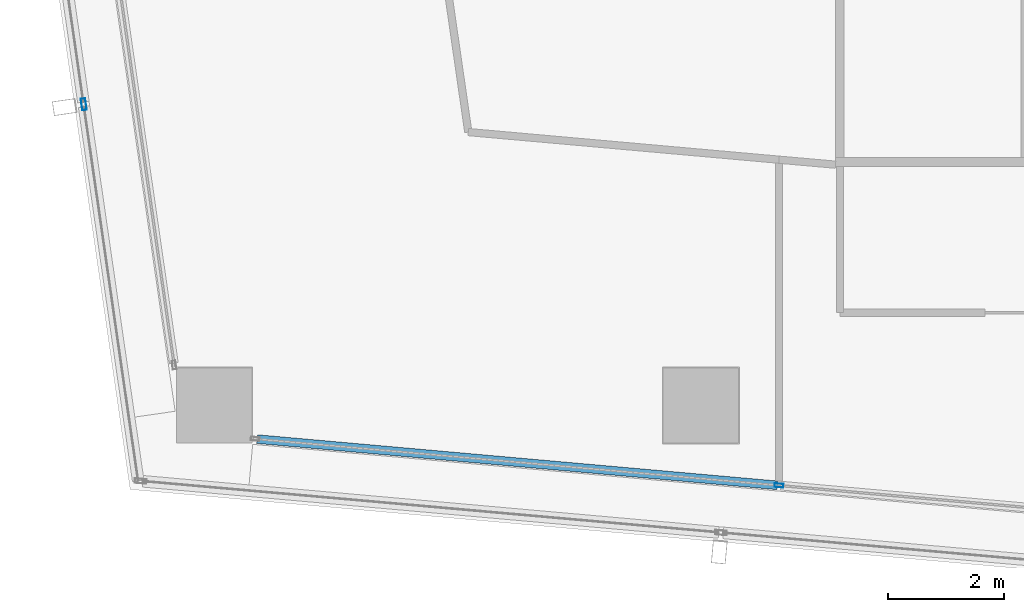
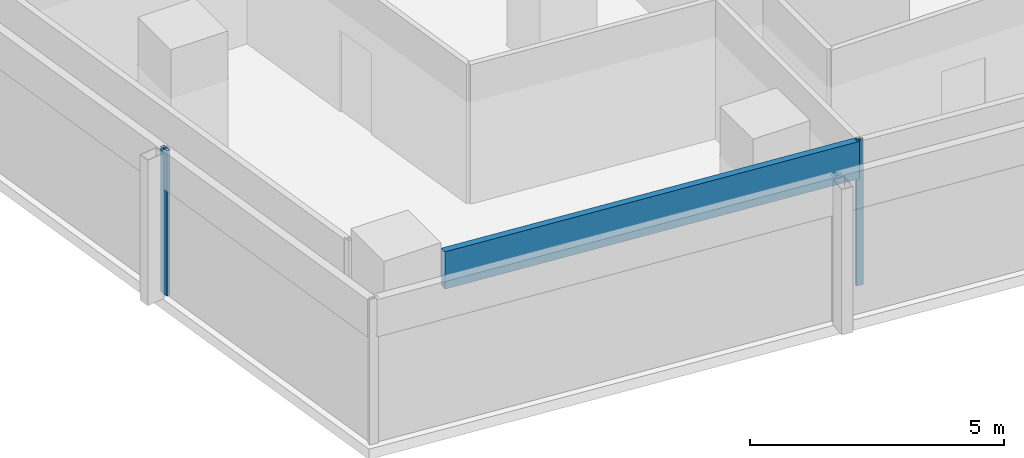
# One storey, part 3 of 30: 3 members, 2 elements without a shape of their own.
"""IFC4 building model written with IfcOpenShell, lengths in metres."""

from ifc_helpers import new_model, si_unit, direction, frame, origin, origin_2d, place, context, subcontext, project, spatial, hollow_rectangle, extrude, material, material_profile, profile_set, type_object, element, aggregate, save


model = new_model("IFC4")

# Units and contexts
model_context = context("Model", 3, precision=1e-05, world=origin(), true_north=direction((0.0, 1.0)))
body_context = subcontext(model_context, "Body", "Model", "MODEL_VIEW")
ifc_project = project(units=[si_unit("LENGTHUNIT", "METRE"), si_unit("AREAUNIT", "SQUARE_METRE"), si_unit("VOLUMEUNIT", "CUBIC_METRE"), si_unit("PLANEANGLEUNIT", "RADIAN"), si_unit("MASSUNIT", "GRAM", prefix="KILO")], contexts=[model_context])

# Site, building, storey
site_placement = place(None, origin())
site = spatial("IfcSite", under=ifc_project, at=site_placement, CompositionType="ELEMENT")
building_placement = place(site_placement, origin())
building = spatial("IfcBuilding", under=site, at=building_placement, Name="Rekha Terrace Tower", CompositionType="ELEMENT")
storey_placement = place(building_placement, frame((0.0, 0.0, 272.60009765625)))
storey = spatial("IfcBuildingStorey", under=building, at=storey_placement, Name="L69", CompositionType="ELEMENT", Elevation=272.60009765625)

# Curtain wall, members
ifc_material_1 = material(Name="Aluminium framing", Category="aluminium")
curtain_wall_type_1 = type_object("IfcCurtainWallType", Name="CW1 double skin inner glazing", PredefinedType="USERDEFINED", material=ifc_material_1)
curtain_wall_1_placement = place(storey_placement, origin())
curtain_wall_1 = element("IfcCurtainWall", 1, at=curtain_wall_1_placement, inside=storey, type_object=curtain_wall_type_1, Name="CW1 double skin inner glazing", ObjectType="DOUBLE SKIN INNER GLAZING", PredefinedType="USERDEFINED")
ifc_material_2 = material(Name="Aluminium mullion section", Category="aluminium")
ifc_material_profile_1 = material_profile(ifc_material_2, hollow_rectangle(XDim=0.06494140625, YDim=0.14990234375, WallThickness=0.00390625, at=origin_2d()), Name="AL RHS 65x150")
ifc_profile_set_1 = profile_set([ifc_material_profile_1], Name="Aluminium mullion section")
member_type_1 = type_object("IfcMemberType", Name="CW1 mullion RHS 65 x 150", PredefinedType="MULLION", material=ifc_profile_set_1)
member_1_placement = place(storey_placement, frame((18.1494140625, 15.4189453125, 0.0), z_axis=(0.0, 0.0, 1.0), x_axis=(0.088522441405, 0.996074182663, 0.0)))
member_1 = element("IfcMember", 2, at=member_1_placement, type_object=member_type_1, Name="CW1 mullion 2", PredefinedType="MULLION", context=body_context, shape_type="SweptSolid", body=[
    extrude(hollow_rectangle(XDim=0.06494140625, YDim=0.14990234375, WallThickness=0.00390625, at=origin_2d()), origin(), (0.0, 0.0, 1.0), 3.5),
])
ifc_material_3 = material(Name="Insulated aluminium spandrel box", Category="aluminium")
ifc_material_profile_2 = material_profile(ifc_material_3, hollow_rectangle(XDim=0.14990234375, YDim=0.89990234375, WallThickness=0.0029296875, at=origin_2d()), Name="AL SPANDREL BOX 150x900")
ifc_profile_set_2 = profile_set([ifc_material_profile_2], Name="Insulated aluminium spandrel box")
member_type_2 = type_object("IfcMemberType", Name="CW1 spandrel transom 150 x 900", PredefinedType="USERDEFINED", material=ifc_profile_set_2)
member_2_placement = place(storey_placement, frame((9.1416015625, 16.219482421875, 3.0498046875), z_axis=(0.996072428294, -0.088542179732, 0.0), x_axis=(0.088542179732, 0.996072428294, 0.0)))
member_2 = element("IfcMember", 3, at=member_2_placement, type_object=member_type_2, Name="CW1 spandrel transom 1", ObjectType="TRANSOM", PredefinedType="USERDEFINED", context=body_context, shape_type="SweptSolid", body=[
    extrude(hollow_rectangle(XDim=0.14990234375, YDim=0.89990234375, WallThickness=0.0029296875, at=origin_2d()), origin(), (0.0, 0.0, 1.0), 9.010986328125),
])
aggregate(curtain_wall_1, [member_1, member_2])

# Curtain wall, member
curtain_wall_type_2 = type_object("IfcCurtainWallType", Name="CW2 double skin outer glazing", PredefinedType="USERDEFINED", material=ifc_material_1)
curtain_wall_2_placement = place(storey_placement, origin())
curtain_wall_2 = element("IfcCurtainWall", 4, at=curtain_wall_2_placement, inside=storey, type_object=curtain_wall_type_2, Name="CW2 double skin outer glazing", ObjectType="DOUBLE SKIN OUTER GLAZING", PredefinedType="USERDEFINED")
ifc_material_profile_3 = material_profile(ifc_material_2, hollow_rectangle(XDim=0.080078125, YDim=0.199951171875, WallThickness=0.00390625, at=origin_2d()), Name="AL RHS 80x200")
ifc_profile_set_3 = profile_set([ifc_material_profile_3], Name="Aluminium mullion section")
member_type_3 = type_object("IfcMemberType", Name="CW2 mullion RHS 80 x 200", PredefinedType="MULLION", material=ifc_profile_set_3)
member_3_placement = place(storey_placement, frame((6.150634765625, 21.99658203125, 0.0), z_axis=(0.0, 0.0, 1.0), x_axis=(0.989707031389, 0.143108322678, 0.0)))
member_3 = element("IfcMember", 5, at=member_3_placement, type_object=member_type_3, Name="CW2 mullion 2", PredefinedType="MULLION", context=body_context, shape_type="SweptSolid", body=[
    extrude(hollow_rectangle(XDim=0.080078125, YDim=0.199951171875, WallThickness=0.00390625, at=origin_2d()), origin(), (0.0, 0.0, 1.0), 3.5),
])
aggregate(curtain_wall_2, [member_3])

save(model, "model.ifc")
